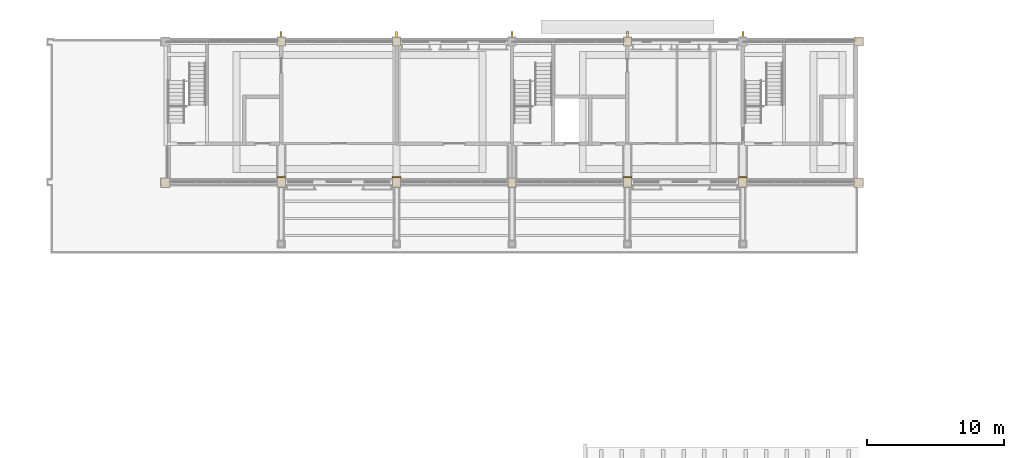
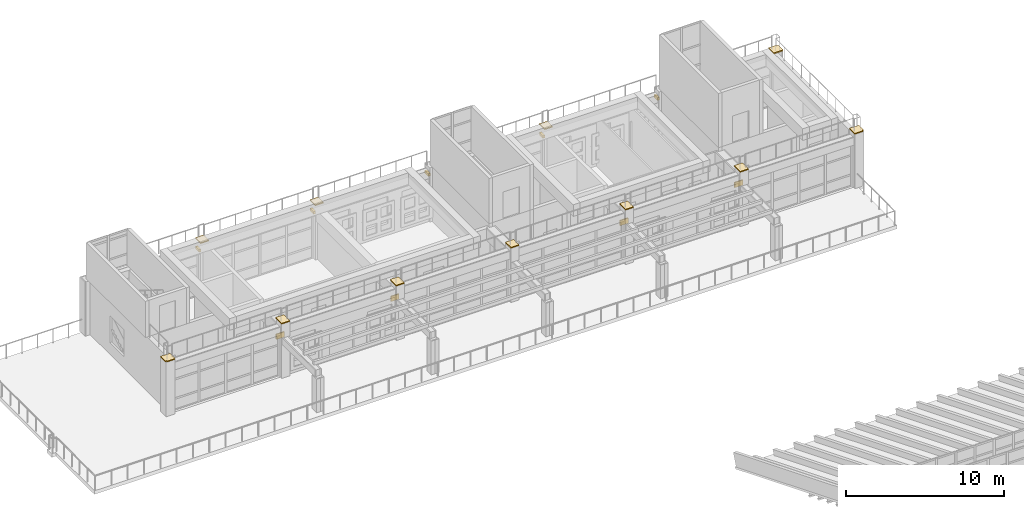
# One storey, part 105 of 105: 15 coverings, 5 shading devices.
"""IFC4 building model written with IfcOpenShell, lengths in metres."""

from ifc_helpers import new_model, si_unit, direction, frame, origin, origin_2d, place, context, subcontext, project, spatial, polyline, rectangle, outline, extrude, material, layer, layer_set, type_object, element, save


model = new_model("IFC4")

# Units and contexts
model_context = context("Model", 3, precision=1e-05, world=origin(), true_north=direction((0.0, 1.0)))
body_context = subcontext(model_context, "Body", "Model", "MODEL_VIEW")
ifc_project = project(units=[si_unit("LENGTHUNIT", "METRE"), si_unit("AREAUNIT", "SQUARE_METRE"), si_unit("VOLUMEUNIT", "CUBIC_METRE"), si_unit("PLANEANGLEUNIT", "RADIAN"), si_unit("MASSUNIT", "GRAM", prefix="KILO")], contexts=[model_context])

# Site, building, storey
site_placement = place(None, origin())
site = spatial("IfcSite", under=ifc_project, at=site_placement, CompositionType="ELEMENT")
building_placement = place(site_placement, origin())
building = spatial("IfcBuilding", under=site, at=building_placement, Name="Wasatch Bagh Community Centre", CompositionType="ELEMENT")
storey_placement = place(building_placement, frame((0.0, 0.0, 16.800048828125)))
storey = spatial("IfcBuildingStorey", under=building, at=storey_placement, Name="L04", CompositionType="ELEMENT", Elevation=16.800048828125)

# Coverings
ifc_material_1 = material(Name="Cast stone cladding", Category="masonry")
ifc_layer = layer(ifc_material_1, 0.080078125)
ifc_layer_set = layer_set([ifc_layer], Name="Cast stone cladding")
covering_type = type_object("IfcCoveringType", Name="CL-C1 column facing", PredefinedType="CLADDING", material=ifc_layer_set)
covering_1_placement = place(storey_placement, frame((0.0, 0.0, 4.199951171875)))
element("IfcCovering", 1, at=covering_1_placement, inside=storey, type_object=covering_type, Name="Column facing", PredefinedType="CLADDING", context=body_context, shape_type="SweptSolid", body=[
    extrude(outline(polyline([(81.10009765625, 87.219970703125), (80.5, 87.219970703125), (80.5, 87.300048828125), (80.419921875, 87.300048828125), (80.419921875, 87.89990234375), (81.10009765625, 87.89990234375), (81.10009765625, 87.219970703125)])), origin(), (0.0, 0.0, 1.0), 0.080078125),
])
covering_2_placement = place(storey_placement, frame((0.0, 0.0, 2.599853515625)))
element("IfcCovering", 2, at=covering_2_placement, inside=storey, type_object=covering_type, Name="Column facing", PredefinedType="CLADDING", context=body_context, shape_type="SweptSolid", body=[
    extrude(outline(polyline([(89.5, 87.89990234375), (88.89990234375, 87.89990234375), (88.89990234375, 87.97998046875), (89.5, 87.97998046875), (89.5, 87.89990234375)])), origin(), (0.0, 0.0, 1.0), 0.400146484375),
])
covering_3_placement = place(storey_placement, frame((0.0, 0.0, 4.199951171875)))
element("IfcCovering", 3, at=covering_3_placement, inside=storey, type_object=covering_type, Name="Column facing", PredefinedType="CLADDING", context=body_context, shape_type="SweptSolid", body=[
    extrude(outline(polyline([(89.5, 87.219970703125), (88.89990234375, 87.219970703125), (88.89990234375, 87.97998046875), (89.5, 87.97998046875), (89.5, 87.219970703125)])), origin(), (0.0, 0.0, 1.0), 0.080078125),
])
covering_4_placement = place(storey_placement, frame((0.0, 0.0, 2.599853515625)))
element("IfcCovering", 4, at=covering_4_placement, inside=storey, type_object=covering_type, Name="Column facing", PredefinedType="CLADDING", context=body_context, shape_type="SweptSolid", body=[
    extrude(outline(polyline([(97.89990234375, 87.89990234375), (97.300048828125, 87.89990234375), (97.300048828125, 87.97998046875), (97.89990234375, 87.97998046875), (97.89990234375, 87.89990234375)])), origin(), (0.0, 0.0, 1.0), 0.400146484375),
])
covering_5_placement = place(storey_placement, frame((0.0, 0.0, 4.199951171875)))
element("IfcCovering", 5, at=covering_5_placement, inside=storey, type_object=covering_type, Name="Column facing", PredefinedType="CLADDING", context=body_context, shape_type="SweptSolid", body=[
    extrude(outline(polyline([(97.89990234375, 87.219970703125), (97.300048828125, 87.219970703125), (97.300048828125, 87.97998046875), (97.89990234375, 87.97998046875), (97.89990234375, 87.219970703125)])), origin(), (0.0, 0.0, 1.0), 0.080078125),
])
covering_6_placement = place(storey_placement, frame((0.0, 0.0, 4.199951171875)))
element("IfcCovering", 6, at=covering_6_placement, inside=storey, type_object=covering_type, Name="Column facing", PredefinedType="CLADDING", context=body_context, shape_type="SweptSolid", body=[
    extrude(outline(polyline([(106.300048828125, 87.219970703125), (105.699951171875, 87.219970703125), (105.699951171875, 87.89990234375), (106.300048828125, 87.89990234375), (106.300048828125, 87.219970703125)])), origin(), (0.0, 0.0, 1.0), 0.080078125),
])
covering_7_placement = place(storey_placement, frame((0.0, 0.0, 2.599853515625)))
element("IfcCovering", 7, at=covering_7_placement, inside=storey, type_object=covering_type, Name="Column facing", PredefinedType="CLADDING", context=body_context, shape_type="SweptSolid", body=[
    extrude(outline(polyline([(114.699951171875, 87.89990234375), (114.10009765625, 87.89990234375), (114.10009765625, 87.97998046875), (114.699951171875, 87.97998046875), (114.699951171875, 87.89990234375)])), origin(), (0.0, 0.0, 1.0), 0.400146484375),
])
covering_8_placement = place(storey_placement, frame((0.0, 0.0, 4.199951171875)))
element("IfcCovering", 8, at=covering_8_placement, inside=storey, type_object=covering_type, Name="Column facing", PredefinedType="CLADDING", context=body_context, shape_type="SweptSolid", body=[
    extrude(outline(polyline([(114.699951171875, 87.219970703125), (114.10009765625, 87.219970703125), (114.10009765625, 87.97998046875), (114.699951171875, 87.97998046875), (114.699951171875, 87.219970703125)])), origin(), (0.0, 0.0, 1.0), 0.080078125),
])
covering_9_placement = place(storey_placement, frame((0.0, 0.0, 2.599853515625)))
element("IfcCovering", 9, at=covering_9_placement, inside=storey, type_object=covering_type, Name="Column facing", PredefinedType="CLADDING", context=body_context, shape_type="SweptSolid", body=[
    extrude(outline(polyline([(123.10009765625, 87.89990234375), (122.5, 87.89990234375), (122.5, 87.97998046875), (123.10009765625, 87.97998046875), (123.10009765625, 87.89990234375)])), origin(), (0.0, 0.0, 1.0), 0.400146484375),
])
covering_10_placement = place(storey_placement, frame((0.0, 0.0, 4.199951171875)))
element("IfcCovering", 10, at=covering_10_placement, inside=storey, type_object=covering_type, Name="Column facing", PredefinedType="CLADDING", context=body_context, shape_type="SweptSolid", body=[
    extrude(outline(polyline([(123.10009765625, 87.219970703125), (122.5, 87.219970703125), (122.5, 87.97998046875), (123.10009765625, 87.97998046875), (123.10009765625, 87.219970703125)])), origin(), (0.0, 0.0, 1.0), 0.080078125),
])
covering_11_placement = place(storey_placement, frame((0.0, 0.0, 4.199951171875)))
element("IfcCovering", 11, at=covering_11_placement, inside=storey, type_object=covering_type, Name="Column facing", PredefinedType="CLADDING", context=body_context, shape_type="SweptSolid", body=[
    extrude(outline(polyline([(131.5, 87.219970703125), (130.89990234375, 87.219970703125), (130.89990234375, 87.89990234375), (131.580078125, 87.89990234375), (131.580078125, 87.300048828125), (131.5, 87.300048828125), (131.5, 87.219970703125)])), origin(), (0.0, 0.0, 1.0), 0.080078125),
])
covering_12_placement = place(storey_placement, frame((0.0, 0.0, 4.199951171875)))
element("IfcCovering", 12, at=covering_12_placement, inside=storey, type_object=covering_type, Name="Column facing", PredefinedType="CLADDING", context=body_context, shape_type="SweptSolid", body=[
    extrude(outline(polyline([(89.5, 97.5), (88.89990234375, 97.5), (88.89990234375, 98.179931640625), (89.5, 98.179931640625), (89.5, 97.5)])), origin(), (0.0, 0.0, 1.0), 0.080078125),
])
covering_13_placement = place(storey_placement, frame((0.0, 0.0, 4.199951171875)))
element("IfcCovering", 13, at=covering_13_placement, inside=storey, type_object=covering_type, Name="Column facing", PredefinedType="CLADDING", context=body_context, shape_type="SweptSolid", body=[
    extrude(outline(polyline([(97.89990234375, 97.5), (97.300048828125, 97.5), (97.300048828125, 98.179931640625), (97.89990234375, 98.179931640625), (97.89990234375, 97.5)])), origin(), (0.0, 0.0, 1.0), 0.080078125),
])
covering_14_placement = place(storey_placement, frame((0.0, 0.0, 4.199951171875)))
element("IfcCovering", 14, at=covering_14_placement, inside=storey, type_object=covering_type, Name="Column facing", PredefinedType="CLADDING", context=body_context, shape_type="SweptSolid", body=[
    extrude(outline(polyline([(114.699951171875, 97.5), (114.10009765625, 97.5), (114.10009765625, 98.179931640625), (114.699951171875, 98.179931640625), (114.699951171875, 97.5)])), origin(), (0.0, 0.0, 1.0), 0.080078125),
])
covering_15_placement = place(storey_placement, frame((0.0, 0.0, 4.199951171875)))
element("IfcCovering", 15, at=covering_15_placement, inside=storey, type_object=covering_type, Name="Column facing", PredefinedType="CLADDING", context=body_context, shape_type="SweptSolid", body=[
    extrude(outline(polyline([(130.89990234375, 97.5), (130.89990234375, 98.179931640625), (131.5, 98.179931640625), (131.5, 98.10009765625), (131.580078125, 98.10009765625), (131.580078125, 97.5), (130.89990234375, 97.5)])), origin(), (0.0, 0.0, 1.0), 0.080078125),
])

# Shading devices
ifc_material_2 = material(Name="Powder-coated aluminium", Category="aluminium")
shading_device_type = type_object("IfcShadingDeviceType", Name="LW north fin 150x450", PredefinedType="USERDEFINED", material=ifc_material_2)
for number, where, z_axis, x_axis, name in (
    (16, (89.199951171875, 98.324951171875, 3.10009765625), (0.0, 0.0, 1.0), (1.0, 0.0, 0.0), "Facade fin"),
    (17, (97.60009765625, 98.324951171875, 3.10009765625), (0.0, 0.0, 1.0), (1.0, 0.0, 0.0), "Facade fin"),
    (18, (106.0, 98.324951171875, 3.10009765625), (0.0, 0.0, 1.0), (1.0, 0.0, 0.0), "Facade fin"),
    (19, (114.39990234375, 98.324951171875, 3.10009765625), (0.0, 0.0, 1.0), (1.0, 0.0, 0.0), "Facade fin"),
    (20, (122.800048828125, 98.324951171875, 3.10009765625), (0.0, 0.0, 1.0), (1.0, 0.0, 0.0), "Facade fin"),
):
    element("IfcShadingDevice", number, at=place(storey_placement, frame(where, z_axis=z_axis, x_axis=x_axis)), inside=storey, type_object=shading_device_type, Name=name, ObjectType="Facade fin", PredefinedType="USERDEFINED", context=body_context, shape_type="SweptSolid", body=[
        extrude(rectangle(XDim=0.14990234375, YDim=0.449951171875, at=origin_2d()), origin(), (0.0, 0.0, 1.0), 0.199951171875),
    ])

save(model, "model.ifc")
